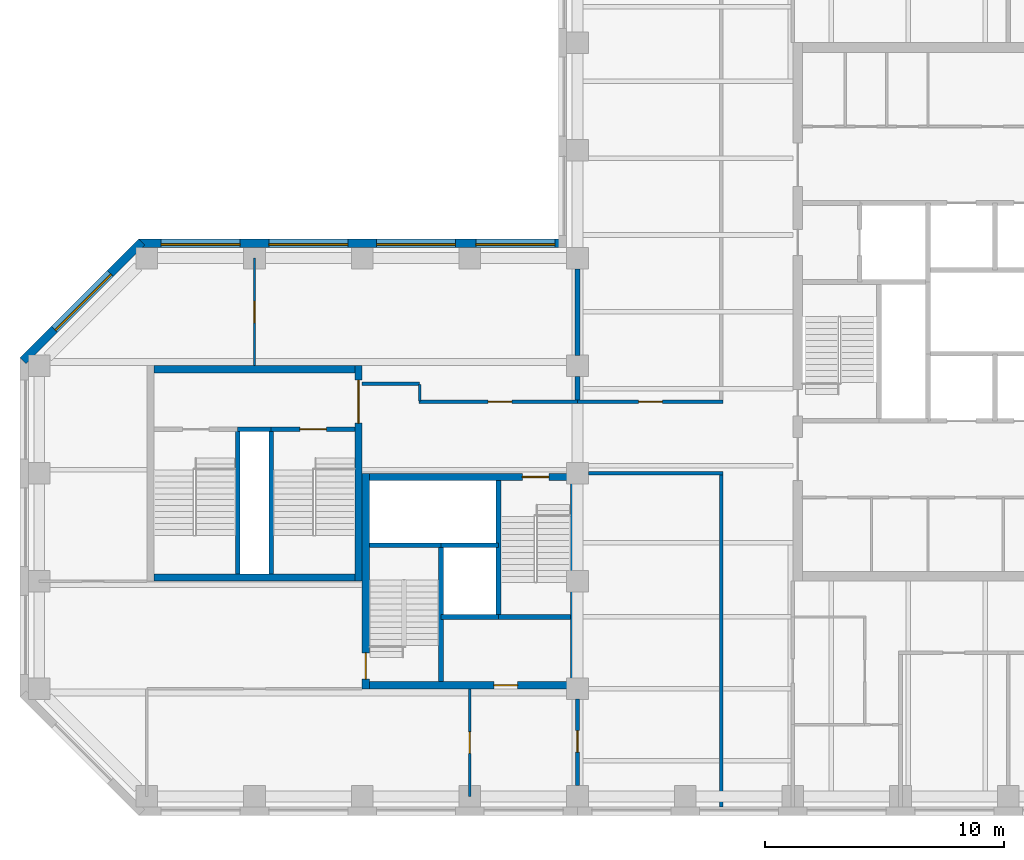
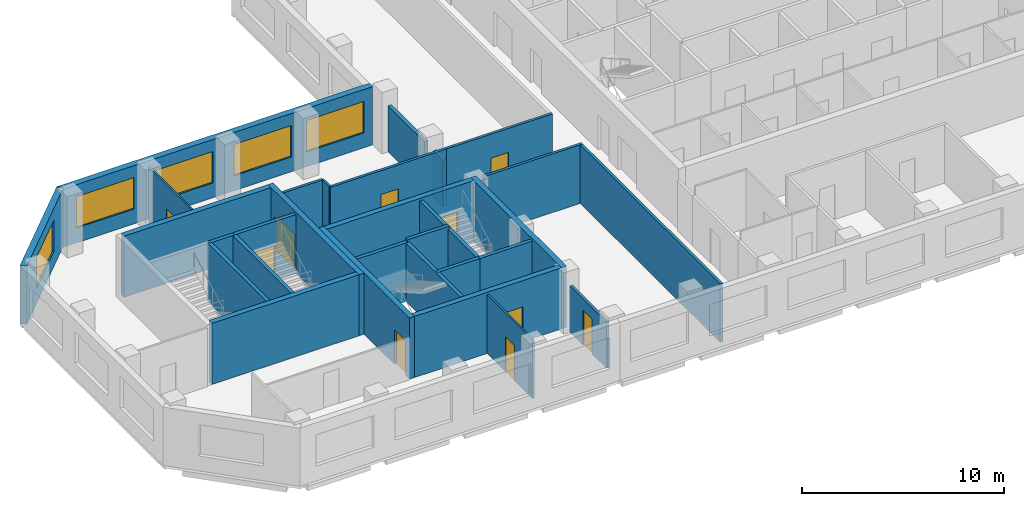
# One storey, part 3 of 9: 30 walls, 10 doors, 5 windows, 15 openings.
"""IFC4 building model written with IfcOpenShell, lengths in metres."""

from ifc_helpers import new_model, si_unit, direction, frame, frame_2d, origin, place, context, subcontext, project, spatial, rectangle, extrude, material, layer, layer_set, constituent, constituent_set, type_object, element, fill, save


model = new_model("IFC4")

# Units and contexts
model_context = context("Model", 3, precision=1e-05, world=origin(), true_north=direction((0.0, 1.0)))
body_context = subcontext(model_context, "Body", "Model", "MODEL_VIEW")
ifc_project = project(units=[si_unit("LENGTHUNIT", "METRE"), si_unit("AREAUNIT", "SQUARE_METRE"), si_unit("VOLUMEUNIT", "CUBIC_METRE"), si_unit("PLANEANGLEUNIT", "RADIAN"), si_unit("MASSUNIT", "GRAM", prefix="KILO")], contexts=[model_context])

# Site, building, storey
site_placement = place(None, origin())
site = spatial("IfcSite", under=ifc_project, at=site_placement, CompositionType="ELEMENT")
building_placement = place(site_placement, origin())
building = spatial("IfcBuilding", under=site, at=building_placement, Name="Quoin Convention Tower", CompositionType="ELEMENT")
storey_placement = place(building_placement, frame((0.0, 0.0, 248.89990234375)))
storey = spatial("IfcBuildingStorey", under=building, at=storey_placement, Name="L65", CompositionType="ELEMENT", Elevation=248.89990234375)

# Wall, openings, windows
ifc_material_1 = material(Name="Brick masonry", Category="masonry")
ifc_layer_1 = layer(ifc_material_1, 0.35009765625)
ifc_layer_set_1 = layer_set([ifc_layer_1], Name="Brick masonry")
wall_type_1 = type_object("IfcWallType", Name="Brick facade wall", PredefinedType="STANDARD", material=ifc_layer_set_1)
wall_1_placement = place(storey_placement, frame((35.550048828125, 63.625, 0.0), z_axis=(0.0, 0.0, 1.0), x_axis=(-1.0, 0.0, 0.0)))
wall_1 = element("IfcWall", 1, at=wall_1_placement, inside=storey, type_object=wall_type_1, Name="fw-L65-36000_63000", PredefinedType="STANDARD", context=body_context, shape_type="SweptSolid", body=[
    extrude(rectangle(XDim=17.88134765625, YDim=0.35009765625, at=frame_2d((8.940673828125, 0.0))), origin(), (0.0, 0.0, 1.0), 3.525146484375),
])
opening_1_placement = place(wall_1_placement, frame((0.5, 0.0, 0.89990234375)))
opening_1 = element("IfcOpeningElement", 2, at=opening_1_placement, cuts=wall_1, Name="Opening W-02", PredefinedType="OPENING", context=body_context, shape_type="SweptSolid", body=[
    extrude(rectangle(XDim=3.300048828125, YDim=1.89990234375, at=frame_2d((1.64990234375, 0.949951171875))), frame((0.0, 0.18505859375, 0.0), z_axis=(0.0, -1.0, 0.0), x_axis=(1.0, 0.0, 0.0)), (0.0, 0.0, 1.0), 0.3701171875),
])
opening_2_placement = place(wall_1_placement, frame((4.64990234375, 0.0, 0.89990234375)))
opening_2 = element("IfcOpeningElement", 3, at=opening_2_placement, cuts=wall_1, Name="Opening W-02", PredefinedType="OPENING", context=body_context, shape_type="SweptSolid", body=[
    extrude(rectangle(XDim=3.300048828125, YDim=1.89990234375, at=frame_2d((1.64990234375, 0.949951171875))), frame((0.0, 0.18505859375, 0.0), z_axis=(0.0, -1.0, 0.0), x_axis=(1.0, 0.0, 0.0)), (0.0, 0.0, 1.0), 0.3701171875),
])
opening_3_placement = place(wall_1_placement, frame((9.14990234375, 0.0, 0.89990234375)))
opening_3 = element("IfcOpeningElement", 4, at=opening_3_placement, cuts=wall_1, Name="Opening W-02", PredefinedType="OPENING", context=body_context, shape_type="SweptSolid", body=[
    extrude(rectangle(XDim=3.300048828125, YDim=1.89990234375, at=frame_2d((1.64990234375, 0.949951171875))), frame((0.0, 0.18505859375, 0.0), z_axis=(0.0, -1.0, 0.0), x_axis=(1.0, 0.0, 0.0)), (0.0, 0.0, 1.0), 0.3701171875),
])
opening_4_placement = place(wall_1_placement, frame((13.64990234375, 0.0, 0.89990234375)))
opening_4 = element("IfcOpeningElement", 5, at=opening_4_placement, cuts=wall_1, Name="Opening W-02", PredefinedType="OPENING", context=body_context, shape_type="SweptSolid", body=[
    extrude(rectangle(XDim=3.300048828125, YDim=1.89990234375, at=frame_2d((1.64990234375, 0.949951171875))), frame((0.0, 0.18505859375, 0.0), z_axis=(0.0, -1.0, 0.0), x_axis=(1.0, 0.0, 0.0)), (0.0, 0.0, 1.0), 0.3701171875),
])
ifc_material_2 = material(Name="Aluminium", Category="aluminium")
ifc_constituent_1 = constituent(ifc_material_2, Name="Frame")
ifc_material_3 = material(Name="Insulated glass", Category="glass")
ifc_constituent_2 = constituent(ifc_material_3, Name="Glazing")
ifc_constituent_set = constituent_set(constituents=[ifc_constituent_1, ifc_constituent_2], Name="Aluminium")
window_type = type_object("IfcWindowType", Name="Office window", PartitioningType="DOUBLE_PANEL_VERTICAL", PredefinedType="WINDOW", material=ifc_constituent_set)
window_1_placement = place(opening_1_placement, origin())
window_1 = element("IfcWindow", 6, at=window_1_placement, inside=storey, type_object=window_type, Name="win-L65-33750_63625", OverallHeight=1.89990234375, OverallWidth=3.300048828125, PartitioningType="SINGLE_PANEL", PredefinedType="WINDOW", context=body_context, shape_type="SweptSolid", body=[
    extrude(rectangle(XDim=3.300048828125, YDim=1.89990234375, at=frame_2d((1.64990234375, 0.949951171875))), frame((0.0, 0.0849609375, 0.0), z_axis=(0.0, -1.0, 0.0), x_axis=(1.0, 0.0, 0.0)), (0.0, 0.0, 1.0), 0.06005859375),
])
fill(opening_1, window_1)
window_2_placement = place(opening_2_placement, origin())
window_2 = element("IfcWindow", 7, at=window_2_placement, inside=storey, type_object=window_type, Name="win-L65-29250_63625", OverallHeight=1.89990234375, OverallWidth=3.300048828125, PartitioningType="SINGLE_PANEL", PredefinedType="WINDOW", context=body_context, shape_type="SweptSolid", body=[
    extrude(rectangle(XDim=3.300048828125, YDim=1.89990234375, at=frame_2d((1.64990234375, 0.949951171875))), frame((0.0, 0.0849609375, 0.0), z_axis=(0.0, -1.0, 0.0), x_axis=(1.0, 0.0, 0.0)), (0.0, 0.0, 1.0), 0.06005859375),
])
fill(opening_2, window_2)
window_3_placement = place(opening_3_placement, origin())
window_3 = element("IfcWindow", 8, at=window_3_placement, inside=storey, type_object=window_type, Name="win-L65-24750_63625", OverallHeight=1.89990234375, OverallWidth=3.300048828125, PartitioningType="SINGLE_PANEL", PredefinedType="WINDOW", context=body_context, shape_type="SweptSolid", body=[
    extrude(rectangle(XDim=3.300048828125, YDim=1.89990234375, at=frame_2d((1.64990234375, 0.949951171875))), frame((0.0, 0.0849609375, 0.0), z_axis=(0.0, -1.0, 0.0), x_axis=(1.0, 0.0, 0.0)), (0.0, 0.0, 1.0), 0.06005859375),
])
fill(opening_3, window_3)
window_4_placement = place(opening_4_placement, origin())
window_4 = element("IfcWindow", 9, at=window_4_placement, inside=storey, type_object=window_type, Name="win-L65-20250_63625", OverallHeight=1.89990234375, OverallWidth=3.300048828125, PartitioningType="SINGLE_PANEL", PredefinedType="WINDOW", context=body_context, shape_type="SweptSolid", body=[
    extrude(rectangle(XDim=3.300048828125, YDim=1.89990234375, at=frame_2d((1.64990234375, 0.949951171875))), frame((0.0, 0.0849609375, 0.0), z_axis=(0.0, -1.0, 0.0), x_axis=(1.0, 0.0, 0.0)), (0.0, 0.0, 1.0), 0.06005859375),
])
fill(opening_4, window_4)

# Wall, opening, window
wall_2_placement = place(storey_placement, frame((17.79248046875, 63.67626953125, 0.0), z_axis=(0.0, 0.0, 1.0), x_axis=(-0.707106781187, -0.707106781187, 0.0)))
wall_2 = element("IfcWall", 10, at=wall_2_placement, inside=storey, type_object=wall_type_1, Name="fw-L65-18000_63000", PredefinedType="STANDARD", context=body_context, shape_type="SweptSolid", body=[
    extrude(rectangle(XDim=7.02685546875, YDim=0.35009765625, at=frame_2d((3.513427734375, 0.0))), origin(), (0.0, 0.0, 1.0), 3.525146484375),
])
opening_5_placement = place(wall_2_placement, frame((1.86328125, 0.0, 0.89990234375)))
opening_5 = element("IfcOpeningElement", 11, at=opening_5_placement, cuts=wall_2, Name="Opening W-02", PredefinedType="OPENING", context=body_context, shape_type="SweptSolid", body=[
    extrude(rectangle(XDim=3.300048828125, YDim=1.89990234375, at=frame_2d((1.64990234375, 0.949951171875))), frame((0.0, 0.18505859375, 0.0), z_axis=(0.0, -1.0, 0.0), x_axis=(1.0, 0.0, 0.0)), (0.0, 0.0, 1.0), 0.3701171875),
])
window_5_placement = place(opening_5_placement, origin())
window_5 = element("IfcWindow", 12, at=window_5_placement, inside=storey, type_object=window_type, Name="win-L65-15308_61192", OverallHeight=1.89990234375, OverallWidth=3.300048828125, PartitioningType="SINGLE_PANEL", PredefinedType="WINDOW", context=body_context, shape_type="SweptSolid", body=[
    extrude(rectangle(XDim=3.300048828125, YDim=1.89990234375, at=frame_2d((1.64990234375, 0.949951171875))), frame((0.0, 0.0849609375, 0.0), z_axis=(0.0, -1.0, 0.0), x_axis=(1.0, 0.0, 0.0)), (0.0, 0.0, 1.0), 0.06005859375),
])
fill(opening_5, window_5)

# Walls
ifc_material_4 = material(Name="Concrete C50", Category="concrete")
ifc_layer_2 = layer(ifc_material_4, 0.199951171875)
ifc_layer_set_2 = layer_set([ifc_layer_2], Name="Concrete C50")
wall_type_2 = type_object("IfcWallType", Name="Core shaft wall", PredefinedType="SOLIDWALL", material=ifc_layer_set_2)
wall_3_placement = place(storey_placement, frame((30.300048828125, 48.0, 0.0), z_axis=(0.0, 0.0, 1.0), x_axis=(1.0, 0.0, 0.0)))
element("IfcWall", 13, at=wall_3_placement, inside=storey, type_object=wall_type_2, Name="cr-P2-L65-h3000_3300", PredefinedType="SOLIDWALL", context=body_context, shape_type="SweptSolid", body=[
    extrude(rectangle(XDim=2.39990234375, YDim=0.199951171875, at=frame_2d((1.199951171875, 0.0))), origin(), (0.0, 0.0, 1.0), 3.550048828125),
])
for number, where, z_axis, x_axis, name in (
    (14, (32.699951171875, 48.0, 0.0), (0.0, 0.0, 1.0), (1.0, 0.0, 0.0), "cr-P2-L65-h3000_5700"),
    (15, (27.300048828125, 51.0, 0.0), (0.0, 0.0, 1.0), (1.0, 0.0, 0.0), "cr-P2-L65-h6000_300"),
):
    element("IfcWall", number, at=place(storey_placement, frame(where, z_axis=z_axis, x_axis=x_axis)), inside=storey, type_object=wall_type_2, Name=name, PredefinedType="SOLIDWALL", context=body_context, shape_type="SweptSolid", body=[
        extrude(rectangle(XDim=3.0, YDim=0.199951171875, at=frame_2d((1.5, 0.0))), origin(), (0.0, 0.0, 1.0), 3.550048828125),
    ])
for number, where, z_axis, x_axis, name in (
    (16, (30.300048828125, 45.300048828125, 0.0), (0.0, 0.0, 1.0), (0.0, 1.0, 0.0), "cr-P2-L65-v3300_300"),
    (17, (32.699951171875, 48.0, 0.0), (0.0, 0.0, 1.0), (0.0, 1.0, 0.0), "cr-P2-L65-v5700_3000"),
):
    element("IfcWall", number, at=place(storey_placement, frame(where, z_axis=z_axis, x_axis=x_axis)), inside=storey, type_object=wall_type_2, Name=name, PredefinedType="SOLIDWALL", context=body_context, shape_type="SweptSolid", body=[
        extrude(rectangle(XDim=5.699951171875, YDim=0.199951171875, at=frame_2d((2.85009765625, 0.0))), origin(), (0.0, 0.0, 1.0), 3.550048828125),
    ])
wall_4_placement = place(storey_placement, frame((21.800048828125, 55.85009765625, 0.0), z_axis=(0.0, 0.0, 1.0), x_axis=(1.0, 0.0, 0.0)))
element("IfcWall", 18, at=wall_4_placement, inside=storey, type_object=wall_type_2, Name="cr-P6-L65-h6350_3800", PredefinedType="SOLIDWALL", context=body_context, shape_type="SweptSolid", body=[
    extrude(rectangle(XDim=1.39990234375, YDim=0.199951171875, at=frame_2d((0.699951171875, 0.0))), origin(), (0.0, 0.0, 1.0), 3.550048828125),
])

# Wall, opening, door
wall_5_placement = place(storey_placement, frame((23.199951171875, 55.85009765625, 0.0), z_axis=(0.0, 0.0, 1.0), x_axis=(1.0, 0.0, 0.0)))
wall_5 = element("IfcWall", 19, at=wall_5_placement, inside=storey, type_object=wall_type_2, Name="cr-P6-L65-h6350_5200", PredefinedType="SOLIDWALL", context=body_context, shape_type="SweptSolid", body=[
    extrude(rectangle(XDim=3.5, YDim=0.199951171875, at=frame_2d((1.75, 0.0))), origin(), (0.0, 0.0, 1.0), 3.550048828125),
])
opening_6_placement = place(wall_5_placement, frame((1.199951171875, 0.0, 0.0)))
opening_6 = element("IfcOpeningElement", 20, at=opening_6_placement, cuts=wall_5, Name="Opening SD12", PredefinedType="OPENING", context=body_context, shape_type="SweptSolid", body=[
    extrude(rectangle(XDim=1.10009765625, YDim=2.10009765625, at=frame_2d((0.550048828125, 1.050048828125))), frame((0.0, 0.10986328125, 0.0), z_axis=(0.0, -1.0, 0.0), x_axis=(1.0, 0.0, 0.0)), (0.0, 0.0, 1.0), 0.219970703125),
])
ifc_material_5 = material(Name="Steel door leaf", Category="steel")
door_type_1 = type_object("IfcDoorType", Name="Stair door 1100 x 2100", OperationType="SINGLE_SWING_RIGHT", PredefinedType="DOOR", material=ifc_material_5)
door_1_placement = place(opening_6_placement, origin())
door_1 = element("IfcDoor", 21, at=door_1_placement, inside=storey, type_object=door_type_1, Name="cd-P6-L65-SB-R2-SD12", OperationType="SINGLE_SWING_RIGHT", OverallHeight=2.10009765625, OverallWidth=1.10009765625, PredefinedType="DOOR", context=body_context, shape_type="SweptSolid", body=[
    extrude(rectangle(XDim=1.10009765625, YDim=2.10009765625, at=frame_2d((0.550048828125, 1.050048828125))), frame((0.0, 0.02490234375, 0.0), z_axis=(0.0, -1.0, 0.0), x_axis=(1.0, 0.0, 0.0)), (0.0, 0.0, 1.0), 0.050048828125),
])
fill(opening_6, door_1)

# Walls
for number, where, z_axis, x_axis, name in (
    (22, (21.800048828125, 49.800048828125, 0.0), (0.0, 0.0, 1.0), (0.0, 1.0, 0.0), "cr-P6-L65-v3800_300"),
    (23, (23.199951171875, 49.800048828125, 0.0), (0.0, 0.0, 1.0), (0.0, 1.0, 0.0), "cr-P6-L65-v5200_300"),
):
    element("IfcWall", number, at=place(storey_placement, frame(where, z_axis=z_axis, x_axis=x_axis)), inside=storey, type_object=wall_type_2, Name=name, PredefinedType="SOLIDWALL", context=body_context, shape_type="SweptSolid", body=[
        extrude(rectangle(XDim=6.050048828125, YDim=0.199951171875, at=frame_2d((3.02490234375, 0.0))), origin(), (0.0, 0.0, 1.0), 3.550048828125),
    ])
ifc_layer_3 = layer(ifc_material_4, 0.199951171875)
ifc_layer_set_3 = layer_set([ifc_layer_3], Name="Concrete C50")
wall_type_3 = type_object("IfcWallType", Name="Core shaft wall to the floor level over", PredefinedType="SOLIDWALL", material=ifc_layer_set_3)
wall_6_placement = place(storey_placement, frame((30.300048828125, 51.0, 0.0), z_axis=(0.0, 0.0, 1.0), x_axis=(1.0, 0.0, 0.0)))
element("IfcWall", 24, at=wall_6_placement, inside=storey, type_object=wall_type_3, Name="cr-P2-L65-h6000_3300", PredefinedType="SOLIDWALL", context=body_context, shape_type="SweptSolid", body=[
    extrude(rectangle(XDim=2.39990234375, YDim=0.199951171875, at=frame_2d((1.199951171875, 0.0))), origin(), (0.0, 0.0, 1.0), 3.7001953125),
])
ifc_material_6 = material(Name="Plasterboard")
ifc_layer_4 = layer(ifc_material_6, 0.012451171875, Name="Finish")
ifc_material_7 = material(Name="Steel stud framing", Category="steel")
ifc_layer_5 = layer(ifc_material_7, 0.125, Name="Structure")
ifc_layer_6 = layer(ifc_material_6, 0.012451171875, Name="Finish")
ifc_layer_set_4 = layer_set([ifc_layer_4, ifc_layer_5, ifc_layer_6], Name="Steel stud framing")
wall_type_4 = type_object("IfcWallType", Name="Corridor wall 150", PredefinedType="PARTITIONING", material=ifc_layer_set_4)
wall_7_placement = place(storey_placement, frame((36.449951171875, 54.0, 0.0), z_axis=(0.0, 0.0, 1.0), x_axis=(1.0, 0.0, 0.0)))
element("IfcWall", 25, at=wall_7_placement, inside=storey, type_object=wall_type_4, Name="pw-L65-016", PredefinedType="PARTITIONING", context=body_context, shape_type="SweptSolid", body=[
    extrude(rectangle(XDim=5.625, YDim=0.14990234375, at=frame_2d((2.8125, 0.0))), origin(), (0.0, 0.0, 1.0), 3.550048828125),
])

# Wall, opening, door
wall_8_placement = place(storey_placement, frame((29.3798828125, 57.0, 0.0), z_axis=(0.0, 0.0, 1.0), x_axis=(1.0, 0.0, 0.0)))
wall_8 = element("IfcWall", 26, at=wall_8_placement, inside=storey, type_object=wall_type_4, Name="pw-L65-018", PredefinedType="PARTITIONING", context=body_context, shape_type="SweptSolid", body=[
    extrude(rectangle(XDim=6.6201171875, YDim=0.14990234375, at=frame_2d((3.31005859375, 0.0))), origin(), (0.0, 0.0, 1.0), 3.550048828125),
])
opening_7_placement = place(wall_8_placement, frame((2.8798828125, 0.0, 0.0)))
opening_7 = element("IfcOpeningElement", 27, at=opening_7_placement, cuts=wall_8, Name="Opening DOH12-05", PredefinedType="OPENING", context=body_context, shape_type="SweptSolid", body=[
    extrude(rectangle(XDim=1.0, YDim=2.10009765625, at=frame_2d((0.5, 1.050048828125))), frame((0.0, 0.0849609375, 0.0), z_axis=(0.0, -1.0, 0.0), x_axis=(1.0, 0.0, 0.0)), (0.0, 0.0, 1.0), 0.169921875),
])
door_type_2 = type_object("IfcDoorType", Name="Tenancy entrance door 1000 x 2100", OperationType="DOUBLE_DOOR_SINGLE_SWING", PredefinedType="DOOR", material=ifc_material_5)
door_2_placement = place(opening_7_placement, origin())
door_2 = element("IfcDoor", 28, at=door_2_placement, inside=storey, type_object=door_type_2, Name="dr-L65-w01", OperationType="DOUBLE_DOOR_SINGLE_SWING", OverallHeight=2.10009765625, OverallWidth=1.0, PredefinedType="DOOR", context=body_context, shape_type="SweptSolid", body=[
    extrude(rectangle(XDim=1.0, YDim=2.10009765625, at=frame_2d((0.5, 1.050048828125))), frame((0.0, 0.02490234375, 0.0), z_axis=(0.0, -1.0, 0.0), x_axis=(1.0, 0.0, 0.0)), (0.0, 0.0, 1.0), 0.050048828125),
])
fill(opening_7, door_2)

wall_9_placement = place(storey_placement, frame((36.0, 57.0, 0.0), z_axis=(0.0, 0.0, 1.0), x_axis=(1.0, 0.0, 0.0)))
wall_9 = element("IfcWall", 29, at=wall_9_placement, inside=storey, type_object=wall_type_4, Name="pw-L65-019", PredefinedType="PARTITIONING", context=body_context, shape_type="SweptSolid", body=[
    extrude(rectangle(XDim=6.074951171875, YDim=0.14990234375, at=frame_2d((3.03759765625, 0.0))), origin(), (0.0, 0.0, 1.0), 3.550048828125),
])
opening_8_placement = place(wall_9_placement, frame((2.550048828125, 0.0, 0.0)))
opening_8 = element("IfcOpeningElement", 30, at=opening_8_placement, cuts=wall_9, Name="Opening DOH12-06", PredefinedType="OPENING", context=body_context, shape_type="SweptSolid", body=[
    extrude(rectangle(XDim=1.0, YDim=2.10009765625, at=frame_2d((0.5, 1.050048828125))), frame((0.0, 0.0849609375, 0.0), z_axis=(0.0, -1.0, 0.0), x_axis=(1.0, 0.0, 0.0)), (0.0, 0.0, 1.0), 0.169921875),
])
door_3_placement = place(opening_8_placement, origin())
door_3 = element("IfcDoor", 31, at=door_3_placement, inside=storey, type_object=door_type_2, Name="dr-L65-10", OperationType="DOUBLE_DOOR_SINGLE_SWING", OverallHeight=2.10009765625, OverallWidth=1.0, PredefinedType="DOOR", context=body_context, shape_type="SweptSolid", body=[
    extrude(rectangle(XDim=1.0, YDim=2.10009765625, at=frame_2d((0.5, 1.050048828125))), frame((0.0, 0.02490234375, 0.0), z_axis=(0.0, -1.0, 0.0), x_axis=(1.0, 0.0, 0.0)), (0.0, 0.0, 1.0), 0.050048828125),
])
fill(opening_8, door_3)

# Walls
wall_10_placement = place(storey_placement, frame((42.0, 40.050048828125, 0.0), z_axis=(0.0, 0.0, 1.0), x_axis=(0.0, 1.0, 0.0)))
element("IfcWall", 32, at=wall_10_placement, inside=storey, type_object=wall_type_4, Name="pw-L65-034", PredefinedType="PARTITIONING", context=body_context, shape_type="SweptSolid", body=[
    extrude(rectangle(XDim=13.875, YDim=0.14990234375, at=frame_2d((6.9375, 0.0))), origin(), (0.0, 0.0, 1.0), 3.550048828125),
])
wall_11_placement = place(storey_placement, frame((27.0, 57.75, 0.0), z_axis=(0.0, 0.0, 1.0), x_axis=(1.0, 0.0, 0.0)))
element("IfcWall", 33, at=wall_11_placement, inside=storey, type_object=wall_type_4, Name="pw-L65-w06", PredefinedType="PARTITIONING", context=body_context, shape_type="SweptSolid", body=[
    extrude(rectangle(XDim=2.39990234375, YDim=0.14990234375, at=frame_2d((1.199951171875, 0.0))), origin(), (0.0, 0.0, 1.0), 3.550048828125),
])

# Wall, opening, door
ifc_layer_7 = layer(ifc_material_6, 0.012451171875, Name="Finish")
ifc_layer_8 = layer(ifc_material_7, 0.125, Name="Structure")
ifc_layer_9 = layer(ifc_material_6, 0.012451171875, Name="Finish")
ifc_layer_set_5 = layer_set([ifc_layer_7, ifc_layer_8, ifc_layer_9], Name="Steel stud framing")
wall_type_5 = type_object("IfcWallType", Name="Corridor wall 150 under beam 750", PredefinedType="PARTITIONING", material=ifc_layer_set_5)
wall_12_placement = place(storey_placement, frame((36.0, 40.949951171875, 0.0), z_axis=(0.0, 0.0, 1.0), x_axis=(0.0, 1.0, 0.0)))
wall_12 = element("IfcWall", 34, at=wall_12_placement, inside=storey, type_object=wall_type_5, Name="pw-L65-041", PredefinedType="PARTITIONING", context=body_context, shape_type="SweptSolid", body=[
    extrude(rectangle(XDim=3.630126953125, YDim=0.14990234375, at=frame_2d((1.81494140625, 0.0))), origin(), (0.0, 0.0, 1.0), 2.800048828125),
])
opening_9_placement = place(wall_12_placement, frame((1.39990234375, 0.0, 0.0)))
opening_9 = element("IfcOpeningElement", 35, at=opening_9_placement, cuts=wall_12, Name="Opening DOH12-09", PredefinedType="OPENING", context=body_context, shape_type="SweptSolid", body=[
    extrude(rectangle(XDim=0.89990234375, YDim=2.10009765625, at=frame_2d((0.449951171875, 1.050048828125))), frame((0.0, 0.0849609375, 0.0), z_axis=(0.0, -1.0, 0.0), x_axis=(1.0, 0.0, 0.0)), (0.0, 0.0, 1.0), 0.169921875),
])
door_type_3 = type_object("IfcDoorType", Name="Office door 900 x 2100", OperationType="SINGLE_SWING_RIGHT", PredefinedType="DOOR", material=ifc_material_5)
door_4_placement = place(opening_9_placement, frame((0.89990234375, 0.0, 0.0), z_axis=(0.0, 0.0, 1.0), x_axis=(-1.0, 0.0, 0.0)))
door_4 = element("IfcDoor", 36, at=door_4_placement, inside=storey, type_object=door_type_3, Name="dr-L65-01", OperationType="SINGLE_SWING_LEFT", OverallHeight=2.10009765625, OverallWidth=0.89990234375, PredefinedType="DOOR", context=body_context, shape_type="SweptSolid", body=[
    extrude(rectangle(XDim=0.89990234375, YDim=2.10009765625, at=frame_2d((0.449951171875, 1.050048828125))), frame((0.0, 0.02490234375, 0.0), z_axis=(0.0, -1.0, 0.0), x_axis=(1.0, 0.0, 0.0)), (0.0, 0.0, 1.0), 0.050048828125),
])
fill(opening_9, door_4)

ifc_layer_10 = layer(ifc_material_4, 0.300048828125)
ifc_layer_set_6 = layer_set([ifc_layer_10], Name="Concrete C50")
wall_type_6 = type_object("IfcWallType", Name="RC CORE WALL 300 C50", PredefinedType="SHEAR", material=ifc_layer_set_6)
wall_13_placement = place(storey_placement, frame((27.300048828125, 45.14990234375, 0.0), z_axis=(0.0, 0.0, 1.0), x_axis=(1.0, 0.0, 0.0)))
wall_13 = element("IfcWall", 37, at=wall_13_placement, inside=storey, type_object=wall_type_6, Name="cwl-P2-L65-S", PredefinedType="SHEAR", context=body_context, shape_type="SweptSolid", body=[
    extrude(rectangle(XDim=8.39990234375, YDim=0.300048828125, at=frame_2d((4.199951171875, 0.0))), origin(), (0.0, 0.0, 1.0), 3.7001953125),
])
opening_10_placement = place(wall_13_placement, frame((5.199951171875, 0.0, 0.0)))
opening_10 = element("IfcOpeningElement", 38, at=opening_10_placement, cuts=wall_13, Name="Opening DCV4-42", PredefinedType="OPENING", context=body_context, shape_type="SweptSolid", body=[
    extrude(rectangle(XDim=1.0, YDim=2.10009765625, at=frame_2d((0.5, 1.050048828125))), frame((0.0, 0.159912109375, 0.0), z_axis=(0.0, -1.0, 0.0), x_axis=(1.0, 0.0, 0.0)), (0.0, 0.0, 1.0), 0.320068359375),
])
door_type_4 = type_object("IfcDoorType", Name="Service door 1000 x 2100", OperationType="SINGLE_SWING_LEFT", PredefinedType="DOOR", material=ifc_material_5)
door_5_placement = place(opening_10_placement, frame((1.0, 0.0, 0.0), z_axis=(0.0, 0.0, 1.0), x_axis=(-1.0, 0.0, 0.0)))
door_5 = element("IfcDoor", 39, at=door_5_placement, inside=storey, type_object=door_type_4, Name="cd-P2-L65-R2-S", OperationType="SINGLE_SWING_RIGHT", OverallHeight=2.10009765625, OverallWidth=1.0, PredefinedType="DOOR", context=body_context, shape_type="SweptSolid", body=[
    extrude(rectangle(XDim=1.0, YDim=2.10009765625, at=frame_2d((0.5, 1.050048828125))), frame((0.0, 0.02490234375, 0.0), z_axis=(0.0, -1.0, 0.0), x_axis=(1.0, 0.0, 0.0)), (0.0, 0.0, 1.0), 0.050048828125),
])
fill(opening_10, door_5)

wall_14_placement = place(storey_placement, frame((27.300048828125, 53.85009765625, 0.0), z_axis=(0.0, 0.0, 1.0), x_axis=(1.0, 0.0, 0.0)))
wall_14 = element("IfcWall", 40, at=wall_14_placement, inside=storey, type_object=wall_type_6, Name="cwl-P2-L65-N", PredefinedType="SHEAR", context=body_context, shape_type="SweptSolid", body=[
    extrude(rectangle(XDim=8.39990234375, YDim=0.300048828125, at=frame_2d((4.199951171875, 0.0))), origin(), (0.0, 0.0, 1.0), 3.7001953125),
])
opening_11_placement = place(wall_14_placement, frame((6.39990234375, 0.0, 0.0)))
opening_11 = element("IfcOpeningElement", 41, at=opening_11_placement, cuts=wall_14, Name="Opening SD4", PredefinedType="OPENING", context=body_context, shape_type="SweptSolid", body=[
    extrude(rectangle(XDim=1.10009765625, YDim=2.10009765625, at=frame_2d((0.550048828125, 1.050048828125))), frame((0.0, 0.159912109375, 0.0), z_axis=(0.0, -1.0, 0.0), x_axis=(1.0, 0.0, 0.0)), (0.0, 0.0, 1.0), 0.320068359375),
])
door_6_placement = place(opening_11_placement, frame((1.10009765625, 0.0, 0.0), z_axis=(0.0, 0.0, 1.0), x_axis=(-1.0, 0.0, 0.0)))
door_6 = element("IfcDoor", 42, at=door_6_placement, inside=storey, type_object=door_type_1, Name="cd-P2-L65-SB-N", OperationType="SINGLE_SWING_LEFT", OverallHeight=2.10009765625, OverallWidth=1.10009765625, PredefinedType="DOOR", context=body_context, shape_type="SweptSolid", body=[
    extrude(rectangle(XDim=1.10009765625, YDim=2.10009765625, at=frame_2d((0.550048828125, 1.050048828125))), frame((0.0, 0.02490234375, 0.0), z_axis=(0.0, -1.0, 0.0), x_axis=(1.0, 0.0, 0.0)), (0.0, 0.0, 1.0), 0.050048828125),
])
fill(opening_11, door_6)

wall_15_placement = place(storey_placement, frame((27.14990234375, 45.0, 0.0), z_axis=(0.0, 0.0, 1.0), x_axis=(0.0, 1.0, 0.0)))
wall_15 = element("IfcWall", 43, at=wall_15_placement, inside=storey, type_object=wall_type_6, Name="cwl-P2-L65-W", PredefinedType="SHEAR", context=body_context, shape_type="SweptSolid", body=[
    extrude(rectangle(XDim=9.0, YDim=0.300048828125, at=frame_2d((4.5, 0.0))), origin(), (0.0, 0.0, 1.0), 3.7001953125),
])
opening_12_placement = place(wall_15_placement, frame((0.39990234375, 0.0, 0.0)))
opening_12 = element("IfcOpeningElement", 44, at=opening_12_placement, cuts=wall_15, Name="Opening SD3", PredefinedType="OPENING", context=body_context, shape_type="SweptSolid", body=[
    extrude(rectangle(XDim=1.10009765625, YDim=2.10009765625, at=frame_2d((0.550048828125, 1.050048828125))), frame((0.0, 0.159912109375, 0.0), z_axis=(0.0, -1.0, 0.0), x_axis=(1.0, 0.0, 0.0)), (0.0, 0.0, 1.0), 0.320068359375),
])
door_7_placement = place(opening_12_placement, frame((1.10009765625, 0.0, 0.0), z_axis=(0.0, 0.0, 1.0), x_axis=(-1.0, 0.0, 0.0)))
door_7 = element("IfcDoor", 45, at=door_7_placement, inside=storey, type_object=door_type_1, Name="cd-P2-L65-SA-W", OperationType="SINGLE_SWING_RIGHT", OverallHeight=2.10009765625, OverallWidth=1.10009765625, PredefinedType="DOOR", context=body_context, shape_type="SweptSolid", body=[
    extrude(rectangle(XDim=1.10009765625, YDim=2.10009765625, at=frame_2d((0.550048828125, 1.050048828125))), frame((0.0, 0.02490234375, 0.0), z_axis=(0.0, -1.0, 0.0), x_axis=(1.0, 0.0, 0.0)), (0.0, 0.0, 1.0), 0.050048828125),
])
fill(opening_12, door_7)

# Walls
wall_16_placement = place(storey_placement, frame((35.85009765625, 45.0, 0.0), z_axis=(0.0, 0.0, 1.0), x_axis=(0.0, 1.0, 0.0)))
element("IfcWall", 46, at=wall_16_placement, inside=storey, type_object=wall_type_6, Name="cwl-P2-L65-E", PredefinedType="SHEAR", context=body_context, shape_type="SweptSolid", body=[
    extrude(rectangle(XDim=9.0, YDim=0.300048828125, at=frame_2d((4.5, 0.0))), origin(), (0.0, 0.0, 1.0), 3.7001953125),
])
for number, where, z_axis, x_axis, name in (
    (47, (18.300048828125, 49.64990234375, 0.0), (0.0, 0.0, 1.0), (1.0, 0.0, 0.0), "cwl-P6-L65-S"),
    (48, (18.300048828125, 58.35009765625, 0.0), (0.0, 0.0, 1.0), (1.0, 0.0, 0.0), "cwl-P6-L65-N"),
):
    element("IfcWall", number, at=place(storey_placement, frame(where, z_axis=z_axis, x_axis=x_axis)), inside=storey, type_object=wall_type_6, Name=name, PredefinedType="SHEAR", context=body_context, shape_type="SweptSolid", body=[
        extrude(rectangle(XDim=8.39990234375, YDim=0.300048828125, at=frame_2d((4.199951171875, 0.0))), origin(), (0.0, 0.0, 1.0), 3.7001953125),
    ])

# Wall, opening, door
wall_17_placement = place(storey_placement, frame((26.85009765625, 49.5, 0.0), z_axis=(0.0, 0.0, 1.0), x_axis=(0.0, 1.0, 0.0)))
wall_17 = element("IfcWall", 49, at=wall_17_placement, inside=storey, type_object=wall_type_6, Name="cwl-P6-L65-E", PredefinedType="SHEAR", context=body_context, shape_type="SweptSolid", body=[
    extrude(rectangle(XDim=9.0, YDim=0.300048828125, at=frame_2d((4.5, 0.0))), origin(), (0.0, 0.0, 1.0), 3.7001953125),
])
opening_13_placement = place(wall_17_placement, frame((6.60009765625, 0.0, 0.0)))
opening_13 = element("IfcOpeningElement", 50, at=opening_13_placement, cuts=wall_17, Name="Opening DCV4-45", PredefinedType="OPENING", context=body_context, shape_type="SweptSolid", body=[
    extrude(rectangle(XDim=1.800048828125, YDim=2.10009765625, at=frame_2d((0.89990234375, 1.050048828125))), frame((0.0, 0.159912109375, 0.0), z_axis=(0.0, -1.0, 0.0), x_axis=(1.0, 0.0, 0.0)), (0.0, 0.0, 1.0), 0.320068359375),
])
door_type_5 = type_object("IfcDoorType", Name="Goods lobby door 1800 x 2100", OperationType="SINGLE_SWING_LEFT", PredefinedType="DOOR", material=ifc_material_5)
door_8_placement = place(opening_13_placement, origin())
door_8 = element("IfcDoor", 51, at=door_8_placement, inside=storey, type_object=door_type_5, Name="cd-P6-L65-R2-E", OperationType="SINGLE_SWING_LEFT", OverallHeight=2.10009765625, OverallWidth=1.800048828125, PredefinedType="DOOR", context=body_context, shape_type="SweptSolid", body=[
    extrude(rectangle(XDim=1.800048828125, YDim=2.10009765625, at=frame_2d((0.89990234375, 1.050048828125))), frame((0.0, 0.02490234375, 0.0), z_axis=(0.0, -1.0, 0.0), x_axis=(1.0, 0.0, 0.0)), (0.0, 0.0, 1.0), 0.050048828125),
])
fill(opening_13, door_8)

ifc_layer_11 = layer(ifc_material_6, 0.012451171875, Name="Finish")
ifc_layer_12 = layer(ifc_material_7, 0.074951171875, Name="Structure")
ifc_layer_13 = layer(ifc_material_6, 0.012451171875, Name="Finish")
ifc_layer_set_7 = layer_set([ifc_layer_11, ifc_layer_12, ifc_layer_13], Name="Steel stud framing")
wall_type_7 = type_object("IfcWallType", Name="Stud partition 100", PredefinedType="PARTITIONING", material=ifc_layer_set_7)
wall_18_placement = place(storey_placement, frame((22.5, 63.0, 0.0), z_axis=(0.0, 0.0, 1.0), x_axis=(0.0, -1.0, 0.0)))
wall_18 = element("IfcWall", 52, at=wall_18_placement, inside=storey, type_object=wall_type_7, Name="pw-L65-w01", PredefinedType="PARTITIONING", context=body_context, shape_type="SweptSolid", body=[
    extrude(rectangle(XDim=4.5, YDim=0.10009765625, at=frame_2d((2.25, 0.0))), origin(), (0.0, 0.0, 1.0), 3.550048828125),
])
opening_14_placement = place(wall_18_placement, frame((1.800048828125, 0.0, 0.0)))
opening_14 = element("IfcOpeningElement", 53, at=opening_14_placement, cuts=wall_18, Name="Opening DOH12-23", PredefinedType="OPENING", context=body_context, shape_type="SweptSolid", body=[
    extrude(rectangle(XDim=0.89990234375, YDim=2.10009765625, at=frame_2d((0.449951171875, 1.050048828125))), frame((0.0, 0.06005859375, 0.0), z_axis=(0.0, -1.0, 0.0), x_axis=(1.0, 0.0, 0.0)), (0.0, 0.0, 1.0), 0.1201171875),
])
door_9_placement = place(opening_14_placement, origin())
door_9 = element("IfcDoor", 54, at=door_9_placement, inside=storey, type_object=door_type_3, Name="dr-L65-w02", OperationType="SINGLE_SWING_LEFT", OverallHeight=2.10009765625, OverallWidth=0.89990234375, PredefinedType="DOOR", context=body_context, shape_type="SweptSolid", body=[
    extrude(rectangle(XDim=0.89990234375, YDim=2.10009765625, at=frame_2d((0.449951171875, 1.050048828125))), frame((0.0, 0.02490234375, 0.0), z_axis=(0.0, -1.0, 0.0), x_axis=(1.0, 0.0, 0.0)), (0.0, 0.0, 1.0), 0.050048828125),
])
fill(opening_14, door_9)

wall_19_placement = place(storey_placement, frame((31.5, 45.0, 0.0), z_axis=(0.0, 0.0, 1.0), x_axis=(0.0, -1.0, 0.0)))
wall_19 = element("IfcWall", 55, at=wall_19_placement, inside=storey, type_object=wall_type_7, Name="pw-L65-w05", PredefinedType="PARTITIONING", context=body_context, shape_type="SweptSolid", body=[
    extrude(rectangle(XDim=4.5, YDim=0.10009765625, at=frame_2d((2.25, 0.0))), origin(), (0.0, 0.0, 1.0), 3.550048828125),
])
opening_15_placement = place(wall_19_placement, frame((1.800048828125, 0.0, 0.0)))
opening_15 = element("IfcOpeningElement", 56, at=opening_15_placement, cuts=wall_19, Name="Opening DOH12-26", PredefinedType="OPENING", context=body_context, shape_type="SweptSolid", body=[
    extrude(rectangle(XDim=0.89990234375, YDim=2.10009765625, at=frame_2d((0.449951171875, 1.050048828125))), frame((0.0, 0.06005859375, 0.0), z_axis=(0.0, -1.0, 0.0), x_axis=(1.0, 0.0, 0.0)), (0.0, 0.0, 1.0), 0.1201171875),
])
door_10_placement = place(opening_15_placement, frame((0.89990234375, 0.0, 0.0), z_axis=(0.0, 0.0, 1.0), x_axis=(-1.0, 0.0, 0.0)))
door_10 = element("IfcDoor", 57, at=door_10_placement, inside=storey, type_object=door_type_3, Name="dr-L65-w05", OperationType="SINGLE_SWING_RIGHT", OverallHeight=2.10009765625, OverallWidth=0.89990234375, PredefinedType="DOOR", context=body_context, shape_type="SweptSolid", body=[
    extrude(rectangle(XDim=0.89990234375, YDim=2.10009765625, at=frame_2d((0.449951171875, 1.050048828125))), frame((0.0, 0.02490234375, 0.0), z_axis=(0.0, -1.0, 0.0), x_axis=(1.0, 0.0, 0.0)), (0.0, 0.0, 1.0), 0.050048828125),
])
fill(opening_15, door_10)

# Walls
wall_20_placement = place(storey_placement, frame((29.39990234375, 57.715087890625, 0.0), z_axis=(0.0, 0.0, 1.0), x_axis=(0.0, -1.0, 0.0)))
element("IfcWall", 58, at=wall_20_placement, inside=storey, type_object=wall_type_7, Name="pw-L65-w07", PredefinedType="PARTITIONING", context=body_context, shape_type="SweptSolid", body=[
    extrude(rectangle(XDim=0.68017578125, YDim=0.10009765625, at=frame_2d((0.340087890625, 0.0))), origin(), (0.0, 0.0, 1.0), 3.550048828125),
])
ifc_layer_14 = layer(ifc_material_6, 0.012451171875, Name="Finish")
ifc_layer_15 = layer(ifc_material_7, 0.175048828125, Name="Structure")
ifc_layer_16 = layer(ifc_material_6, 0.012451171875, Name="Finish")
ifc_layer_set_8 = layer_set([ifc_layer_14, ifc_layer_15, ifc_layer_16], Name="Steel stud framing")
wall_type_8 = type_object("IfcWallType", Name="Tenancy demising wall 200 under beam 750", PredefinedType="PARTITIONING", material=ifc_layer_set_8)
wall_21_placement = place(storey_placement, frame((36.0, 57.074951171875, 0.0), z_axis=(0.0, 0.0, 1.0), x_axis=(0.0, 1.0, 0.0)))
element("IfcWall", 59, at=wall_21_placement, inside=storey, type_object=wall_type_8, Name="pw-L65-057", PredefinedType="PARTITIONING", context=body_context, shape_type="SweptSolid", body=[
    extrude(rectangle(XDim=0.97509765625, YDim=0.199951171875, at=frame_2d((0.487548828125, 0.0))), origin(), (0.0, 0.0, 1.0), 2.800048828125),
])
wall_22_placement = place(storey_placement, frame((36.0, 58.919921875, 0.0), z_axis=(0.0, 0.0, 1.0), x_axis=(0.0, 1.0, 0.0)))
element("IfcWall", 60, at=wall_22_placement, inside=storey, type_object=wall_type_8, Name="pw-L65-059", PredefinedType="PARTITIONING", context=body_context, shape_type="SweptSolid", body=[
    extrude(rectangle(XDim=3.630126953125, YDim=0.199951171875, at=frame_2d((1.81494140625, 0.0))), origin(), (0.0, 0.0, 1.0), 2.800048828125),
])

save(model, "model.ifc")
